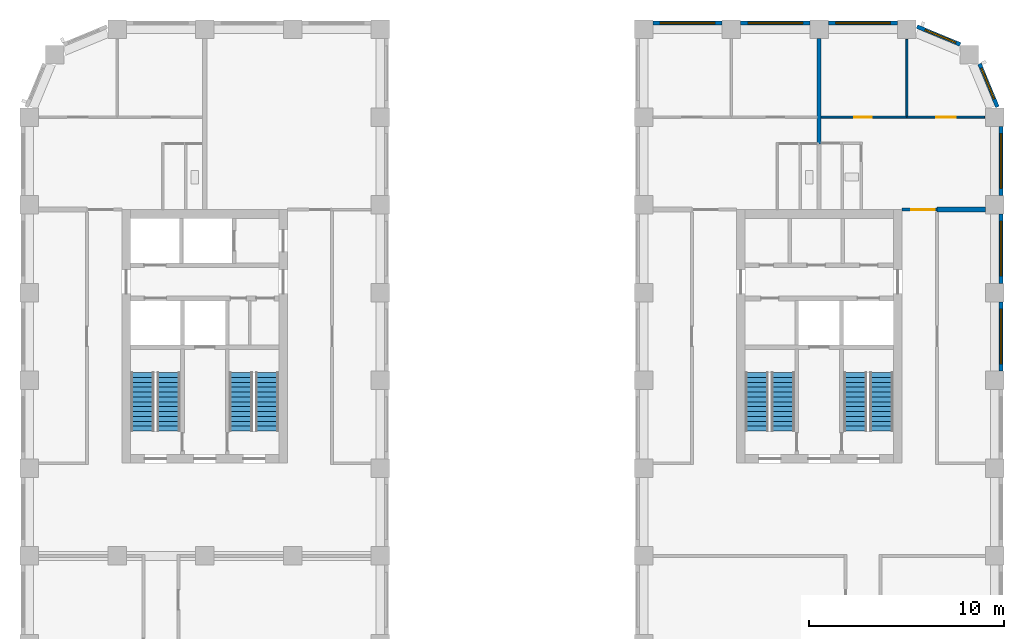
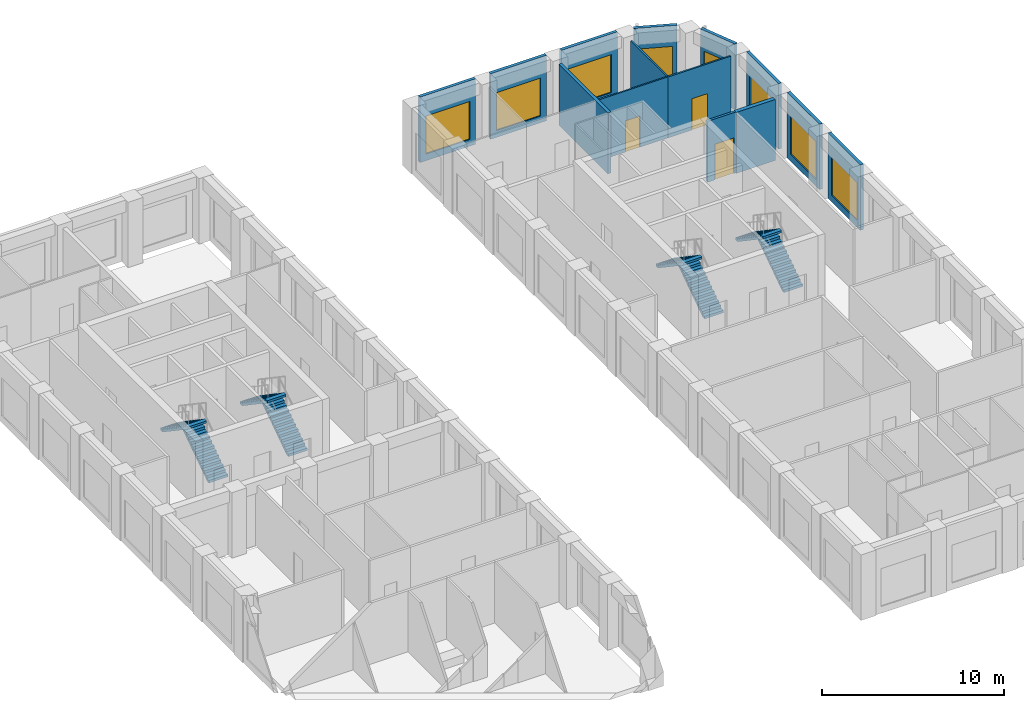
# One storey, part 9 of 12: 14 walls, 8 stair flights, 8 windows, 3 doors, 11 openings, 4 elements without a shape of their own.
"""IFC4 building model written with IfcOpenShell, lengths in metres."""

from ifc_helpers import new_model, si_unit, direction, frame, frame_2d, origin, place, context, subcontext, project, spatial, polyline, rectangle, outline, extrude, material, layer, layer_set, type_object, element, fill, aggregate, save


model = new_model("IFC4")

# Units and contexts
model_context = context("Model", 3, precision=1e-05, world=origin(), true_north=direction((0.0, 1.0)))
body_context = subcontext(model_context, "Body", "Model", "MODEL_VIEW")
ifc_project = project(units=[si_unit("LENGTHUNIT", "METRE"), si_unit("AREAUNIT", "SQUARE_METRE"), si_unit("VOLUMEUNIT", "CUBIC_METRE"), si_unit("PLANEANGLEUNIT", "RADIAN"), si_unit("MASSUNIT", "GRAM", prefix="KILO")], contexts=[model_context])

# Site, building, storey
site_placement = place(None, origin())
site = spatial("IfcSite", under=ifc_project, at=site_placement, CompositionType="ELEMENT")
building_placement = place(site_placement, origin())
building = spatial("IfcBuilding", under=site, at=building_placement, Name="Girih Gate Residences", CompositionType="ELEMENT")
storey_placement = place(building_placement, frame((0.0, 0.0, 155.0)))
storey = spatial("IfcBuildingStorey", under=building, at=storey_placement, Name="L43", CompositionType="ELEMENT", Elevation=155.0)

# Wall
ifc_material_1 = material(Name="Gypsum board on steel studs", Category="steel")
ifc_layer_1 = layer(ifc_material_1, 0.25)
ifc_layer_set_1 = layer_set([ifc_layer_1], Name="Acoustic separating wall 250 mm")
wall_type_1 = type_object("IfcWallType", Name="Acoustic separating wall 250 mm", PredefinedType="PARTITIONING", material=ifc_layer_set_1)
wall_1_placement = place(storey_placement, frame((46.550048828125, 40.25, 0.0), z_axis=(0.0, 0.0, 1.0), x_axis=(1.0, 0.0, 0.0)))
element("IfcWall", 1, at=wall_1_placement, inside=storey, type_object=wall_type_1, Name="L43 partition", PredefinedType="PARTITIONING", context=body_context, shape_type="SweptSolid", body=[
    extrude(rectangle(XDim=2.474853515625, YDim=0.25, at=frame_2d((1.2373046875, 0.0))), origin(), (0.0, 0.0, 1.0), 4.10009765625),
])

# Wall, opening, door
ifc_layer_2 = layer(ifc_material_1, 0.14990234375)
ifc_layer_set_2 = layer_set([ifc_layer_2], Name="Compartment wall 150 mm")
wall_type_2 = type_object("IfcWallType", Name="Compartment wall 150 mm", PredefinedType="PARTITIONING", material=ifc_layer_set_2)
wall_2_placement = place(storey_placement, frame((44.75, 40.25, 0.0), z_axis=(0.0, 0.0, 1.0), x_axis=(1.0, 0.0, 0.0)))
wall_2 = element("IfcWall", 2, at=wall_2_placement, inside=storey, type_object=wall_type_2, Name="L43 partition", PredefinedType="PARTITIONING", context=body_context, shape_type="SweptSolid", body=[
    extrude(rectangle(XDim=1.800048828125, YDim=0.14990234375, at=frame_2d((0.89990234375, 0.0))), origin(), (0.0, 0.0, 1.0), 4.10009765625),
])
opening_1_placement = place(wall_2_placement, frame((0.469970703125, 0.0, 0.0)))
opening_1 = element("IfcOpeningElement", 3, at=opening_1_placement, cuts=wall_2, Name="Opening A43-027", PredefinedType="OPENING", context=body_context, shape_type="SweptSolid", body=[
    extrude(rectangle(XDim=1.199951171875, YDim=2.39990234375, at=frame_2d((0.60009765625, 1.199951171875))), frame((0.0, 0.0849609375, 0.0), z_axis=(0.0, -1.0, 0.0), x_axis=(1.0, 0.0, 0.0)), (0.0, 0.0, 1.0), 0.169921875),
])
ifc_material_2 = material(Name="Timber, fire-rated core", Category="wood")
door_type_1 = type_object("IfcDoorType", Name="Villa entrance door 1200x2400 FD30S", OperationType="NOTDEFINED", PredefinedType="DOOR", material=ifc_material_2)
door_1_placement = place(opening_1_placement, origin())
door_1 = element("IfcDoor", 4, at=door_1_placement, inside=storey, type_object=door_type_1, Name="Door A43-027", OperationType="SINGLE_SWING_RIGHT", OverallHeight=2.39990234375, OverallWidth=1.199951171875, PredefinedType="DOOR", context=body_context, shape_type="SweptSolid", body=[
    extrude(rectangle(XDim=1.199951171875, YDim=2.39990234375, at=frame_2d((0.60009765625, 1.199951171875))), frame((0.0, 0.02490234375, 0.0), z_axis=(0.0, -1.0, 0.0), x_axis=(1.0, 0.0, 0.0)), (0.0, 0.0, 1.0), 0.050048828125),
])
fill(opening_1, door_1)

ifc_layer_3 = layer(ifc_material_1, 0.10009765625)
ifc_layer_set_3 = layer_set([ifc_layer_3], Name="Partition 100 mm")
wall_type_3 = type_object("IfcWallType", Name="Partition 100 mm", PredefinedType="PARTITIONING", material=ifc_layer_set_3)
wall_3_placement = place(storey_placement, frame((40.60009765625, 45.0, 0.0), z_axis=(0.0, 0.0, 1.0), x_axis=(1.0, 0.0, 0.0)))
wall_3 = element("IfcWall", 5, at=wall_3_placement, inside=storey, type_object=wall_type_3, Name="L43 partition", PredefinedType="PARTITIONING", context=body_context, shape_type="SweptSolid", body=[
    extrude(rectangle(XDim=4.39990234375, YDim=0.10009765625, at=frame_2d((2.199951171875, 0.0))), origin(), (0.0, 0.0, 1.0), 4.10009765625),
])
opening_2_placement = place(wall_3_placement, frame((1.699951171875, 0.0, 0.0)))
opening_2 = element("IfcOpeningElement", 6, at=opening_2_placement, cuts=wall_3, Name="Opening A43-024", PredefinedType="OPENING", context=body_context, shape_type="SweptSolid", body=[
    extrude(rectangle(XDim=0.89990234375, YDim=2.10009765625, at=frame_2d((0.449951171875, 1.050048828125))), frame((0.0, 0.06005859375, 0.0), z_axis=(0.0, -1.0, 0.0), x_axis=(1.0, 0.0, 0.0)), (0.0, 0.0, 1.0), 0.1201171875),
])
ifc_material_3 = material(Name="Timber", Category="wood")
door_type_2 = type_object("IfcDoorType", Name="Bedroom door 900x2100", OperationType="NOTDEFINED", PredefinedType="DOOR", material=ifc_material_3)
door_2_placement = place(opening_2_placement, origin())
door_2 = element("IfcDoor", 7, at=door_2_placement, inside=storey, type_object=door_type_2, Name="Door A43-024", OperationType="SINGLE_SWING_LEFT", OverallHeight=2.10009765625, OverallWidth=0.89990234375, PredefinedType="DOOR", context=body_context, shape_type="SweptSolid", body=[
    extrude(rectangle(XDim=0.89990234375, YDim=2.10009765625, at=frame_2d((0.449951171875, 1.050048828125))), frame((0.0, 0.02490234375, 0.0), z_axis=(0.0, -1.0, 0.0), x_axis=(1.0, 0.0, 0.0)), (0.0, 0.0, 1.0), 0.050048828125),
])
fill(opening_2, door_2)

# Wall
wall_4_placement = place(storey_placement, frame((45.0, 45.050048828125, 0.0), z_axis=(0.0, 0.0, 1.0), x_axis=(0.0, 1.0, 0.0)))
element("IfcWall", 8, at=wall_4_placement, inside=storey, type_object=wall_type_3, Name="L43 partition", PredefinedType="PARTITIONING", context=body_context, shape_type="SweptSolid", body=[
    extrude(rectangle(XDim=3.935791015625, YDim=0.10009765625, at=frame_2d((1.9677734375, 0.0))), origin(), (0.0, 0.0, 1.0), 4.10009765625),
])

# Wall, opening, door
wall_5_placement = place(storey_placement, frame((45.0, 45.0, 0.0), z_axis=(0.0, 0.0, 1.0), x_axis=(1.0, 0.0, 0.0)))
wall_5 = element("IfcWall", 9, at=wall_5_placement, inside=storey, type_object=wall_type_3, Name="L43 partition", PredefinedType="PARTITIONING", context=body_context, shape_type="SweptSolid", body=[
    extrude(rectangle(XDim=3.98583984375, YDim=0.10009765625, at=frame_2d((1.992919921875, 0.0))), origin(), (0.0, 0.0, 1.0), 4.10009765625),
])
opening_3_placement = place(wall_5_placement, frame((1.512451171875, 0.0, 0.0)))
opening_3 = element("IfcOpeningElement", 10, at=opening_3_placement, cuts=wall_5, Name="Opening A43-026", PredefinedType="OPENING", context=body_context, shape_type="SweptSolid", body=[
    extrude(rectangle(XDim=1.0, YDim=2.10009765625, at=frame_2d((0.5, 1.050048828125))), frame((0.0, 0.06005859375, 0.0), z_axis=(0.0, -1.0, 0.0), x_axis=(1.0, 0.0, 0.0)), (0.0, 0.0, 1.0), 0.1201171875),
])
door_type_3 = type_object("IfcDoorType", Name="Living room door 1000x2100", OperationType="NOTDEFINED", PredefinedType="DOOR", material=ifc_material_3)
door_3_placement = place(opening_3_placement, origin())
door_3 = element("IfcDoor", 11, at=door_3_placement, inside=storey, type_object=door_type_3, Name="Door A43-026", OperationType="SINGLE_SWING_RIGHT", OverallHeight=2.10009765625, OverallWidth=1.0, PredefinedType="DOOR", context=body_context, shape_type="SweptSolid", body=[
    extrude(rectangle(XDim=1.0, YDim=2.10009765625, at=frame_2d((0.5, 1.050048828125))), frame((0.0, 0.02490234375, 0.0), z_axis=(0.0, -1.0, 0.0), x_axis=(1.0, 0.0, 0.0)), (0.0, 0.0, 1.0), 0.050048828125),
])
fill(opening_3, door_3)

# Wall
ifc_layer_4 = layer(ifc_material_1, 0.199951171875)
ifc_layer_set_4 = layer_set([ifc_layer_4], Name="Party wall 200 mm")
wall_type_4 = type_object("IfcWallType", Name="Party wall 200 mm", PredefinedType="PARTITIONING", material=ifc_layer_set_4)
wall_6_placement = place(storey_placement, frame((40.5, 43.610107421875, 0.0), z_axis=(0.0, 0.0, 1.0), x_axis=(0.0, 1.0, 0.0)))
element("IfcWall", 12, at=wall_6_placement, inside=storey, type_object=wall_type_4, Name="L43 partition", PredefinedType="PARTITIONING", context=body_context, shape_type="SweptSolid", body=[
    extrude(rectangle(XDim=5.414794921875, YDim=0.199951171875, at=frame_2d((2.70751953125, 0.0))), origin(), (0.0, 0.0, 1.0), 4.10009765625),
])

# Wall, opening, window
ifc_material_4 = material(Name="Precast concrete C50/60", Category="concrete")
ifc_layer_5 = layer(ifc_material_4, 0.06005859375, Name="Outer leaf")
ifc_material_5 = material(Name="Rigid PIR insulation")
ifc_layer_6 = layer(ifc_material_5, 0.090087890625, Name="Insulation")
ifc_material_6 = material(Name="Precast concrete C40/50", Category="concrete")
ifc_layer_7 = layer(ifc_material_6, 0.050048828125, Name="Inner leaf")
ifc_layer_set_5 = layer_set([ifc_layer_5, ifc_layer_6, ifc_layer_7], Name="Precast concrete C50/60 external wall 200")
wall_type_5 = type_object("IfcWallType", Name="Precast concrete C50/60 external wall 200", PredefinedType="SOLIDWALL", material=ifc_layer_set_5)
wall_7_placement = place(storey_placement, frame((49.824951171875, 35.52490234375, 0.0), z_axis=(0.0, 0.0, 1.0), x_axis=(0.0, -1.0, 0.0)))
wall_7 = element("IfcWall", 13, at=wall_7_placement, inside=storey, type_object=wall_type_5, Name="External wall E0495_0045.6", PredefinedType="SOLIDWALL", context=body_context, shape_type="SweptSolid", body=[
    extrude(rectangle(XDim=3.5498046875, YDim=0.199951171875, at=frame_2d((1.77490234375, 0.0))), origin(), (0.0, 0.0, 1.0), 4.39990234375),
])
opening_4_placement = place(wall_7_placement, frame((0.375, 0.0, 0.449951171875)))
opening_4 = element("IfcOpeningElement", 14, at=opening_4_placement, cuts=wall_7, Name="Opening W-6A", PredefinedType="OPENING", context=body_context, shape_type="SweptSolid", body=[
    extrude(rectangle(XDim=2.800048828125, YDim=2.550048828125, at=frame_2d((1.39990234375, 1.27490234375))), frame((0.0, 0.10986328125, 0.0), z_axis=(0.0, -1.0, 0.0), x_axis=(1.0, 0.0, 0.0)), (0.0, 0.0, 1.0), 0.219970703125),
])
ifc_material_7 = material(Name="Double glazing in aluminium frame", Category="aluminium")
window_type_1 = type_object("IfcWindowType", Name="Window W-6A 2800x2550", PartitioningType="SINGLE_PANEL", PredefinedType="WINDOW", material=ifc_material_7)
window_1_placement = place(opening_4_placement, origin())
window_1 = element("IfcWindow", 15, at=window_1_placement, inside=storey, type_object=window_type_1, Name="Window W-6A E0495_0045.6", OverallHeight=2.550048828125, OverallWidth=2.800048828125, PartitioningType="SINGLE_PANEL", PredefinedType="WINDOW", context=body_context, shape_type="SweptSolid", body=[
    extrude(rectangle(XDim=2.800048828125, YDim=2.550048828125, at=frame_2d((1.39990234375, 1.27490234375))), frame((0.0, 0.030029296875, 0.0), z_axis=(0.0, -1.0, 0.0), x_axis=(1.0, 0.0, 0.0)), (0.0, 0.0, 1.0), 0.06005859375),
])
fill(opening_4, window_1)

wall_8_placement = place(storey_placement, frame((49.824951171875, 40.02490234375, 0.0), z_axis=(0.0, 0.0, 1.0), x_axis=(0.0, -1.0, 0.0)))
wall_8 = element("IfcWall", 16, at=wall_8_placement, inside=storey, type_object=wall_type_5, Name="External wall E0495_0045.7", PredefinedType="SOLIDWALL", context=body_context, shape_type="SweptSolid", body=[
    extrude(rectangle(XDim=3.5498046875, YDim=0.199951171875, at=frame_2d((1.77490234375, 0.0))), origin(), (0.0, 0.0, 1.0), 4.39990234375),
])
opening_5_placement = place(wall_8_placement, frame((0.375, 0.0, 0.449951171875)))
opening_5 = element("IfcOpeningElement", 17, at=opening_5_placement, cuts=wall_8, Name="Opening W-6A", PredefinedType="OPENING", context=body_context, shape_type="SweptSolid", body=[
    extrude(rectangle(XDim=2.800048828125, YDim=2.550048828125, at=frame_2d((1.39990234375, 1.27490234375))), frame((0.0, 0.10986328125, 0.0), z_axis=(0.0, -1.0, 0.0), x_axis=(1.0, 0.0, 0.0)), (0.0, 0.0, 1.0), 0.219970703125),
])
window_2_placement = place(opening_5_placement, origin())
window_2 = element("IfcWindow", 18, at=window_2_placement, inside=storey, type_object=window_type_1, Name="Window W-6A E0495_0045.7", OverallHeight=2.550048828125, OverallWidth=2.800048828125, PartitioningType="SINGLE_PANEL", PredefinedType="WINDOW", context=body_context, shape_type="SweptSolid", body=[
    extrude(rectangle(XDim=2.800048828125, YDim=2.550048828125, at=frame_2d((1.39990234375, 1.27490234375))), frame((0.0, 0.030029296875, 0.0), z_axis=(0.0, -1.0, 0.0), x_axis=(1.0, 0.0, 0.0)), (0.0, 0.0, 1.0), 0.06005859375),
])
fill(opening_5, window_2)

wall_9_placement = place(storey_placement, frame((49.824951171875, 44.52490234375, 0.0), z_axis=(0.0, 0.0, 1.0), x_axis=(0.0, -1.0, 0.0)))
wall_9 = element("IfcWall", 19, at=wall_9_placement, inside=storey, type_object=wall_type_5, Name="External wall E0495_0045.8", PredefinedType="SOLIDWALL", context=body_context, shape_type="SweptSolid", body=[
    extrude(rectangle(XDim=3.5498046875, YDim=0.199951171875, at=frame_2d((1.77490234375, 0.0))), origin(), (0.0, 0.0, 1.0), 4.39990234375),
])
opening_6_placement = place(wall_9_placement, frame((0.375, 0.0, 0.449951171875)))
opening_6 = element("IfcOpeningElement", 20, at=opening_6_placement, cuts=wall_9, Name="Opening W-6A", PredefinedType="OPENING", context=body_context, shape_type="SweptSolid", body=[
    extrude(rectangle(XDim=2.800048828125, YDim=2.550048828125, at=frame_2d((1.39990234375, 1.27490234375))), frame((0.0, 0.10986328125, 0.0), z_axis=(0.0, -1.0, 0.0), x_axis=(1.0, 0.0, 0.0)), (0.0, 0.0, 1.0), 0.219970703125),
])
window_3_placement = place(opening_6_placement, origin())
window_3 = element("IfcWindow", 21, at=window_3_placement, inside=storey, type_object=window_type_1, Name="Window W-6A E0495_0045.8", OverallHeight=2.550048828125, OverallWidth=2.800048828125, PartitioningType="SINGLE_PANEL", PredefinedType="WINDOW", context=body_context, shape_type="SweptSolid", body=[
    extrude(rectangle(XDim=2.800048828125, YDim=2.550048828125, at=frame_2d((1.39990234375, 1.27490234375))), frame((0.0, 0.030029296875, 0.0), z_axis=(0.0, -1.0, 0.0), x_axis=(1.0, 0.0, 0.0)), (0.0, 0.0, 1.0), 0.06005859375),
])
fill(opening_6, window_3)

wall_10_placement = place(storey_placement, frame((48.7197265625, 47.73291015625, 0.0), z_axis=(0.0, 0.0, 1.0), x_axis=(0.382680855588, -0.923880599843, 0.0)))
wall_10 = element("IfcWall", 22, at=wall_10_placement, inside=storey, type_object=wall_type_5, Name="External wall NE0495_0450.0", PredefinedType="SOLIDWALL", context=body_context, shape_type="SweptSolid", body=[
    extrude(rectangle(XDim=2.402587890625, YDim=0.199951171875, at=frame_2d((1.201171875, 0.0))), origin(), (0.0, 0.0, 1.0), 4.39990234375),
])
opening_7_placement = place(wall_10_placement, frame((0.25146484375, 0.0, 0.449951171875)))
opening_7 = element("IfcOpeningElement", 23, at=opening_7_placement, cuts=wall_10, Name="Opening W-2F", PredefinedType="OPENING", context=body_context, shape_type="SweptSolid", body=[
    extrude(rectangle(XDim=1.699951171875, YDim=2.550048828125, at=frame_2d((0.85009765625, 1.27490234375))), frame((0.0, 0.10986328125, 0.0), z_axis=(0.0, -1.0, 0.0), x_axis=(1.0, 0.0, 0.0)), (0.0, 0.0, 1.0), 0.219970703125),
])
window_type_2 = type_object("IfcWindowType", Name="Window W-2F 1700x2550", PartitioningType="SINGLE_PANEL", PredefinedType="WINDOW", material=ifc_material_7)
window_4_placement = place(opening_7_placement, origin())
window_4 = element("IfcWindow", 24, at=window_4_placement, inside=storey, type_object=window_type_2, Name="Window W-2F NE0495_0450.0", OverallHeight=2.550048828125, OverallWidth=1.699951171875, PartitioningType="SINGLE_PANEL", PredefinedType="WINDOW", context=body_context, shape_type="SweptSolid", body=[
    extrude(rectangle(XDim=1.699951171875, YDim=2.550048828125, at=frame_2d((0.85009765625, 1.27490234375))), frame((0.0, 0.030029296875, 0.0), z_axis=(0.0, -1.0, 0.0), x_axis=(1.0, 0.0, 0.0)), (0.0, 0.0, 1.0), 0.06005859375),
])
fill(opening_7, window_4)

wall_11_placement = place(storey_placement, frame((45.51318359375, 49.63916015625, 0.0), z_axis=(0.0, 0.0, 1.0), x_axis=(0.923880599843, -0.382680855588, 0.0)))
wall_11 = element("IfcWall", 25, at=wall_11_placement, inside=storey, type_object=wall_type_5, Name="External wall NE0482_0482.0", PredefinedType="SOLIDWALL", context=body_context, shape_type="SweptSolid", body=[
    extrude(rectangle(XDim=2.402587890625, YDim=0.199951171875, at=frame_2d((1.201171875, 0.0))), origin(), (0.0, 0.0, 1.0), 4.39990234375),
])
opening_8_placement = place(wall_11_placement, frame((0.451171875, 0.0, 0.449951171875)))
opening_8 = element("IfcOpeningElement", 26, at=opening_8_placement, cuts=wall_11, Name="Opening W-2F", PredefinedType="OPENING", context=body_context, shape_type="SweptSolid", body=[
    extrude(rectangle(XDim=1.699951171875, YDim=2.550048828125, at=frame_2d((0.85009765625, 1.27490234375))), frame((0.0, 0.10986328125, 0.0), z_axis=(0.0, -1.0, 0.0), x_axis=(1.0, 0.0, 0.0)), (0.0, 0.0, 1.0), 0.219970703125),
])
window_5_placement = place(opening_8_placement, origin())
window_5 = element("IfcWindow", 27, at=window_5_placement, inside=storey, type_object=window_type_2, Name="Window W-2F NE0482_0482.0", OverallHeight=2.550048828125, OverallWidth=1.699951171875, PartitioningType="SINGLE_PANEL", PredefinedType="WINDOW", context=body_context, shape_type="SweptSolid", body=[
    extrude(rectangle(XDim=1.699951171875, YDim=2.550048828125, at=frame_2d((0.85009765625, 1.27490234375))), frame((0.0, 0.030029296875, 0.0), z_axis=(0.0, -1.0, 0.0), x_axis=(1.0, 0.0, 0.0)), (0.0, 0.0, 1.0), 0.06005859375),
])
fill(opening_8, window_5)

wall_12_placement = place(storey_placement, frame((40.97509765625, 49.824951171875, 0.0), z_axis=(0.0, 0.0, 1.0), x_axis=(1.0, 0.0, 0.0)))
wall_12 = element("IfcWall", 28, at=wall_12_placement, inside=storey, type_object=wall_type_5, Name="External wall N0450_0495.0", PredefinedType="SOLIDWALL", context=body_context, shape_type="SweptSolid", body=[
    extrude(rectangle(XDim=3.5498046875, YDim=0.199951171875, at=frame_2d((1.77490234375, 0.0))), origin(), (0.0, 0.0, 1.0), 4.39990234375),
])
opening_9_placement = place(wall_12_placement, frame((0.375, 0.0, 0.449951171875)))
opening_9 = element("IfcOpeningElement", 29, at=opening_9_placement, cuts=wall_12, Name="Opening W-6A", PredefinedType="OPENING", context=body_context, shape_type="SweptSolid", body=[
    extrude(rectangle(XDim=2.800048828125, YDim=2.550048828125, at=frame_2d((1.39990234375, 1.27490234375))), frame((0.0, 0.10986328125, 0.0), z_axis=(0.0, -1.0, 0.0), x_axis=(1.0, 0.0, 0.0)), (0.0, 0.0, 1.0), 0.219970703125),
])
window_6_placement = place(opening_9_placement, origin())
window_6 = element("IfcWindow", 30, at=window_6_placement, inside=storey, type_object=window_type_1, Name="Window W-6A N0450_0495.0", OverallHeight=2.550048828125, OverallWidth=2.800048828125, PartitioningType="SINGLE_PANEL", PredefinedType="WINDOW", context=body_context, shape_type="SweptSolid", body=[
    extrude(rectangle(XDim=2.800048828125, YDim=2.550048828125, at=frame_2d((1.39990234375, 1.27490234375))), frame((0.0, 0.030029296875, 0.0), z_axis=(0.0, -1.0, 0.0), x_axis=(1.0, 0.0, 0.0)), (0.0, 0.0, 1.0), 0.06005859375),
])
fill(opening_9, window_6)

wall_13_placement = place(storey_placement, frame((36.47509765625, 49.824951171875, 0.0), z_axis=(0.0, 0.0, 1.0), x_axis=(1.0, 0.0, 0.0)))
wall_13 = element("IfcWall", 31, at=wall_13_placement, inside=storey, type_object=wall_type_5, Name="External wall N0450_0495.1", PredefinedType="SOLIDWALL", context=body_context, shape_type="SweptSolid", body=[
    extrude(rectangle(XDim=3.5498046875, YDim=0.199951171875, at=frame_2d((1.77490234375, 0.0))), origin(), (0.0, 0.0, 1.0), 4.39990234375),
])
opening_10_placement = place(wall_13_placement, frame((0.375, 0.0, 0.449951171875)))
opening_10 = element("IfcOpeningElement", 32, at=opening_10_placement, cuts=wall_13, Name="Opening W-6A", PredefinedType="OPENING", context=body_context, shape_type="SweptSolid", body=[
    extrude(rectangle(XDim=2.800048828125, YDim=2.550048828125, at=frame_2d((1.39990234375, 1.27490234375))), frame((0.0, 0.10986328125, 0.0), z_axis=(0.0, -1.0, 0.0), x_axis=(1.0, 0.0, 0.0)), (0.0, 0.0, 1.0), 0.219970703125),
])
window_7_placement = place(opening_10_placement, origin())
window_7 = element("IfcWindow", 33, at=window_7_placement, inside=storey, type_object=window_type_1, Name="Window W-6A N0450_0495.1", OverallHeight=2.550048828125, OverallWidth=2.800048828125, PartitioningType="SINGLE_PANEL", PredefinedType="WINDOW", context=body_context, shape_type="SweptSolid", body=[
    extrude(rectangle(XDim=2.800048828125, YDim=2.550048828125, at=frame_2d((1.39990234375, 1.27490234375))), frame((0.0, 0.030029296875, 0.0), z_axis=(0.0, -1.0, 0.0), x_axis=(1.0, 0.0, 0.0)), (0.0, 0.0, 1.0), 0.06005859375),
])
fill(opening_10, window_7)

wall_14_placement = place(storey_placement, frame((31.97509765625, 49.824951171875, 0.0), z_axis=(0.0, 0.0, 1.0), x_axis=(1.0, 0.0, 0.0)))
wall_14 = element("IfcWall", 34, at=wall_14_placement, inside=storey, type_object=wall_type_5, Name="External wall N0450_0495.2", PredefinedType="SOLIDWALL", context=body_context, shape_type="SweptSolid", body=[
    extrude(rectangle(XDim=3.5498046875, YDim=0.199951171875, at=frame_2d((1.77490234375, 0.0))), origin(), (0.0, 0.0, 1.0), 4.39990234375),
])
opening_11_placement = place(wall_14_placement, frame((0.375, 0.0, 0.449951171875)))
opening_11 = element("IfcOpeningElement", 35, at=opening_11_placement, cuts=wall_14, Name="Opening W-6A", PredefinedType="OPENING", context=body_context, shape_type="SweptSolid", body=[
    extrude(rectangle(XDim=2.800048828125, YDim=2.550048828125, at=frame_2d((1.39990234375, 1.27490234375))), frame((0.0, 0.10986328125, 0.0), z_axis=(0.0, -1.0, 0.0), x_axis=(1.0, 0.0, 0.0)), (0.0, 0.0, 1.0), 0.219970703125),
])
window_8_placement = place(opening_11_placement, origin())
window_8 = element("IfcWindow", 36, at=window_8_placement, inside=storey, type_object=window_type_1, Name="Window W-6A N0450_0495.2", OverallHeight=2.550048828125, OverallWidth=2.800048828125, PartitioningType="SINGLE_PANEL", PredefinedType="WINDOW", context=body_context, shape_type="SweptSolid", body=[
    extrude(rectangle(XDim=2.800048828125, YDim=2.550048828125, at=frame_2d((1.39990234375, 1.27490234375))), frame((0.0, 0.030029296875, 0.0), z_axis=(0.0, -1.0, 0.0), x_axis=(1.0, 0.0, 0.0)), (0.0, 0.0, 1.0), 0.06005859375),
])
fill(opening_11, window_8)

# Stair, stair flights
ifc_material_8 = material(Name="Concrete C40/50", Category="concrete")
stair_type = type_object("IfcStairType", Name="Exit stair", PredefinedType="HALF_TURN_STAIR", material=ifc_material_8)
stair_1_placement = place(storey_placement, origin())
stair_1 = element("IfcStair", 37, at=stair_1_placement, inside=storey, type_object=stair_type, Name="L43 Exit Stair ST-W1", PredefinedType="HALF_TURN_STAIR")
stair_flight_type = type_object("IfcStairFlightType", Name="Stair flight 1200", PredefinedType="STRAIGHT", material=ifc_material_8)
stair_flight_1_placement = place(storey_placement, frame((7.14990234375, 28.89990234375, 0.0), z_axis=(0.0, 0.0, 1.0), x_axis=(0.0, 1.0, 0.0)))
stair_flight_1 = element("IfcStairFlight", 38, at=stair_flight_1_placement, type_object=stair_flight_type, Name="ST-W1 flight 1", NumberOfRisers=13, NumberOfTreads=12, PredefinedType="STRAIGHT", RiserHeight=0.169230769, TreadLength=0.25, context=body_context, shape_type="SweptSolid", body=[
    extrude(outline(polyline([(0.0, 0.0), (0.0, 0.169189453125), (0.25, 0.169189453125), (0.25, 0.33837890625), (0.5, 0.33837890625), (0.5, 0.5078125), (0.75, 0.5078125), (0.75, 0.677001953125), (1.0, 0.677001953125), (1.0, 0.84619140625), (1.25, 0.84619140625), (1.25, 1.015380859375), (1.5, 1.015380859375), (1.5, 1.1845703125), (1.75, 1.1845703125), (1.75, 1.353759765625), (2.0, 1.353759765625), (2.0, 1.523193359375), (2.25, 1.523193359375), (2.25, 1.6923828125), (2.5, 1.6923828125), (2.5, 1.861572265625), (2.75, 1.861572265625), (2.75, 2.03076171875), (3.0, 2.03076171875), (3.0, 2.199951171875), (3.0, 1.8857421875), (0.21435546875, 0.0), (0.0, 0.0)])), frame((0.0, 0.60009765625, 0.0), z_axis=(0.0, -1.0, 0.0), x_axis=(1.0, 0.0, 0.0)), (0.0, 0.0, 1.0), 1.199951171875),
])
stair_flight_2_placement = place(storey_placement, frame((5.800048828125, 31.89990234375, 2.199951171875), z_axis=(0.0, 0.0, 1.0), x_axis=(0.0, -1.0, 0.0)))
stair_flight_2 = element("IfcStairFlight", 39, at=stair_flight_2_placement, type_object=stair_flight_type, Name="ST-W1 flight 2", NumberOfRisers=13, NumberOfTreads=12, PredefinedType="STRAIGHT", RiserHeight=0.169230769, TreadLength=0.25, context=body_context, shape_type="SweptSolid", body=[
    extrude(outline(polyline([(0.0, 0.0), (0.0, 0.169189453125), (0.25, 0.169189453125), (0.25, 0.33837890625), (0.5, 0.33837890625), (0.5, 0.5078125), (0.75, 0.5078125), (0.75, 0.677001953125), (1.0, 0.677001953125), (1.0, 0.84619140625), (1.25, 0.84619140625), (1.25, 1.015380859375), (1.5, 1.015380859375), (1.5, 1.1845703125), (1.75, 1.1845703125), (1.75, 1.353759765625), (2.0, 1.353759765625), (2.0, 1.523193359375), (2.25, 1.523193359375), (2.25, 1.6923828125), (2.5, 1.6923828125), (2.5, 1.861572265625), (2.75, 1.861572265625), (2.75, 2.03076171875), (3.0, 2.03076171875), (3.0, 2.199951171875), (3.0, 1.8857421875), (0.21435546875, 0.0), (0.0, 0.0)])), frame((0.0, 0.60009765625, 0.0), z_axis=(0.0, -1.0, 0.0), x_axis=(1.0, 0.0, 0.0)), (0.0, 0.0, 1.0), 1.199951171875),
])
aggregate(stair_1, [stair_flight_1, stair_flight_2])

stair_2_placement = place(storey_placement, origin())
stair_2 = element("IfcStair", 40, at=stair_2_placement, inside=storey, type_object=stair_type, Name="L43 Exit Stair ST-W2", PredefinedType="HALF_TURN_STAIR")
stair_flight_3_placement = place(storey_placement, frame((12.199951171875, 28.89990234375, 0.0), z_axis=(0.0, 0.0, 1.0), x_axis=(0.0, 1.0, 0.0)))
stair_flight_3 = element("IfcStairFlight", 41, at=stair_flight_3_placement, type_object=stair_flight_type, Name="ST-W2 flight 1", NumberOfRisers=13, NumberOfTreads=12, PredefinedType="STRAIGHT", RiserHeight=0.169230769, TreadLength=0.25, context=body_context, shape_type="SweptSolid", body=[
    extrude(outline(polyline([(0.0, 0.0), (0.0, 0.169189453125), (0.25, 0.169189453125), (0.25, 0.33837890625), (0.5, 0.33837890625), (0.5, 0.5078125), (0.75, 0.5078125), (0.75, 0.677001953125), (1.0, 0.677001953125), (1.0, 0.84619140625), (1.25, 0.84619140625), (1.25, 1.015380859375), (1.5, 1.015380859375), (1.5, 1.1845703125), (1.75, 1.1845703125), (1.75, 1.353759765625), (2.0, 1.353759765625), (2.0, 1.523193359375), (2.25, 1.523193359375), (2.25, 1.6923828125), (2.5, 1.6923828125), (2.5, 1.861572265625), (2.75, 1.861572265625), (2.75, 2.03076171875), (3.0, 2.03076171875), (3.0, 2.199951171875), (3.0, 1.8857421875), (0.21435546875, 0.0), (0.0, 0.0)])), frame((0.0, 0.60009765625, 0.0), z_axis=(0.0, -1.0, 0.0), x_axis=(1.0, 0.0, 0.0)), (0.0, 0.0, 1.0), 1.199951171875),
])
stair_flight_4_placement = place(storey_placement, frame((10.85009765625, 31.89990234375, 2.199951171875), z_axis=(0.0, 0.0, 1.0), x_axis=(0.0, -1.0, 0.0)))
stair_flight_4 = element("IfcStairFlight", 42, at=stair_flight_4_placement, type_object=stair_flight_type, Name="ST-W2 flight 2", NumberOfRisers=13, NumberOfTreads=12, PredefinedType="STRAIGHT", RiserHeight=0.169230769, TreadLength=0.25, context=body_context, shape_type="SweptSolid", body=[
    extrude(outline(polyline([(0.0, 0.0), (0.0, 0.169189453125), (0.25, 0.169189453125), (0.25, 0.33837890625), (0.5, 0.33837890625), (0.5, 0.5078125), (0.75, 0.5078125), (0.75, 0.677001953125), (1.0, 0.677001953125), (1.0, 0.84619140625), (1.25, 0.84619140625), (1.25, 1.015380859375), (1.5, 1.015380859375), (1.5, 1.1845703125), (1.75, 1.1845703125), (1.75, 1.353759765625), (2.0, 1.353759765625), (2.0, 1.523193359375), (2.25, 1.523193359375), (2.25, 1.6923828125), (2.5, 1.6923828125), (2.5, 1.861572265625), (2.75, 1.861572265625), (2.75, 2.03076171875), (3.0, 2.03076171875), (3.0, 2.199951171875), (3.0, 1.8857421875), (0.21435546875, 0.0), (0.0, 0.0)])), frame((0.0, 0.60009765625, 0.0), z_axis=(0.0, -1.0, 0.0), x_axis=(1.0, 0.0, 0.0)), (0.0, 0.0, 1.0), 1.199951171875),
])
aggregate(stair_2, [stair_flight_3, stair_flight_4])

stair_3_placement = place(storey_placement, origin())
stair_3 = element("IfcStair", 43, at=stair_3_placement, inside=storey, type_object=stair_type, Name="L43 Exit Stair ST-E1", PredefinedType="HALF_TURN_STAIR")
stair_flight_5_placement = place(storey_placement, frame((43.699951171875, 28.89990234375, 0.0), z_axis=(0.0, 0.0, 1.0), x_axis=(0.0, 1.0, 0.0)))
stair_flight_5 = element("IfcStairFlight", 44, at=stair_flight_5_placement, type_object=stair_flight_type, Name="ST-E1 flight 1", NumberOfRisers=13, NumberOfTreads=12, PredefinedType="STRAIGHT", RiserHeight=0.169230769, TreadLength=0.25, context=body_context, shape_type="SweptSolid", body=[
    extrude(outline(polyline([(0.0, 0.0), (0.0, 0.169189453125), (0.25, 0.169189453125), (0.25, 0.33837890625), (0.5, 0.33837890625), (0.5, 0.5078125), (0.75, 0.5078125), (0.75, 0.677001953125), (1.0, 0.677001953125), (1.0, 0.84619140625), (1.25, 0.84619140625), (1.25, 1.015380859375), (1.5, 1.015380859375), (1.5, 1.1845703125), (1.75, 1.1845703125), (1.75, 1.353759765625), (2.0, 1.353759765625), (2.0, 1.523193359375), (2.25, 1.523193359375), (2.25, 1.6923828125), (2.5, 1.6923828125), (2.5, 1.861572265625), (2.75, 1.861572265625), (2.75, 2.03076171875), (3.0, 2.03076171875), (3.0, 2.199951171875), (3.0, 1.8857421875), (0.21435546875, 0.0), (0.0, 0.0)])), frame((0.0, 0.60009765625, 0.0), z_axis=(0.0, -1.0, 0.0), x_axis=(1.0, 0.0, 0.0)), (0.0, 0.0, 1.0), 1.199951171875),
])
stair_flight_6_placement = place(storey_placement, frame((42.35009765625, 31.89990234375, 2.199951171875), z_axis=(0.0, 0.0, 1.0), x_axis=(0.0, -1.0, 0.0)))
stair_flight_6 = element("IfcStairFlight", 45, at=stair_flight_6_placement, type_object=stair_flight_type, Name="ST-E1 flight 2", NumberOfRisers=13, NumberOfTreads=12, PredefinedType="STRAIGHT", RiserHeight=0.169230769, TreadLength=0.25, context=body_context, shape_type="SweptSolid", body=[
    extrude(outline(polyline([(0.0, 0.0), (0.0, 0.169189453125), (0.25, 0.169189453125), (0.25, 0.33837890625), (0.5, 0.33837890625), (0.5, 0.5078125), (0.75, 0.5078125), (0.75, 0.677001953125), (1.0, 0.677001953125), (1.0, 0.84619140625), (1.25, 0.84619140625), (1.25, 1.015380859375), (1.5, 1.015380859375), (1.5, 1.1845703125), (1.75, 1.1845703125), (1.75, 1.353759765625), (2.0, 1.353759765625), (2.0, 1.523193359375), (2.25, 1.523193359375), (2.25, 1.6923828125), (2.5, 1.6923828125), (2.5, 1.861572265625), (2.75, 1.861572265625), (2.75, 2.03076171875), (3.0, 2.03076171875), (3.0, 2.199951171875), (3.0, 1.8857421875), (0.21435546875, 0.0), (0.0, 0.0)])), frame((0.0, 0.60009765625, 0.0), z_axis=(0.0, -1.0, 0.0), x_axis=(1.0, 0.0, 0.0)), (0.0, 0.0, 1.0), 1.199951171875),
])
aggregate(stair_3, [stair_flight_5, stair_flight_6])

stair_4_placement = place(storey_placement, origin())
stair_4 = element("IfcStair", 46, at=stair_4_placement, inside=storey, type_object=stair_type, Name="L43 Exit Stair ST-E2", PredefinedType="HALF_TURN_STAIR")
stair_flight_7_placement = place(storey_placement, frame((38.64990234375, 28.89990234375, 0.0), z_axis=(0.0, 0.0, 1.0), x_axis=(0.0, 1.0, 0.0)))
stair_flight_7 = element("IfcStairFlight", 47, at=stair_flight_7_placement, type_object=stair_flight_type, Name="ST-E2 flight 1", NumberOfRisers=13, NumberOfTreads=12, PredefinedType="STRAIGHT", RiserHeight=0.169230769, TreadLength=0.25, context=body_context, shape_type="SweptSolid", body=[
    extrude(outline(polyline([(0.0, 0.0), (0.0, 0.169189453125), (0.25, 0.169189453125), (0.25, 0.33837890625), (0.5, 0.33837890625), (0.5, 0.5078125), (0.75, 0.5078125), (0.75, 0.677001953125), (1.0, 0.677001953125), (1.0, 0.84619140625), (1.25, 0.84619140625), (1.25, 1.015380859375), (1.5, 1.015380859375), (1.5, 1.1845703125), (1.75, 1.1845703125), (1.75, 1.353759765625), (2.0, 1.353759765625), (2.0, 1.523193359375), (2.25, 1.523193359375), (2.25, 1.6923828125), (2.5, 1.6923828125), (2.5, 1.861572265625), (2.75, 1.861572265625), (2.75, 2.03076171875), (3.0, 2.03076171875), (3.0, 2.199951171875), (3.0, 1.8857421875), (0.21435546875, 0.0), (0.0, 0.0)])), frame((0.0, 0.60009765625, 0.0), z_axis=(0.0, -1.0, 0.0), x_axis=(1.0, 0.0, 0.0)), (0.0, 0.0, 1.0), 1.199951171875),
])
stair_flight_8_placement = place(storey_placement, frame((37.300048828125, 31.89990234375, 2.199951171875), z_axis=(0.0, 0.0, 1.0), x_axis=(0.0, -1.0, 0.0)))
stair_flight_8 = element("IfcStairFlight", 48, at=stair_flight_8_placement, type_object=stair_flight_type, Name="ST-E2 flight 2", NumberOfRisers=13, NumberOfTreads=12, PredefinedType="STRAIGHT", RiserHeight=0.169230769, TreadLength=0.25, context=body_context, shape_type="SweptSolid", body=[
    extrude(outline(polyline([(0.0, 0.0), (0.0, 0.169189453125), (0.25, 0.169189453125), (0.25, 0.33837890625), (0.5, 0.33837890625), (0.5, 0.5078125), (0.75, 0.5078125), (0.75, 0.677001953125), (1.0, 0.677001953125), (1.0, 0.84619140625), (1.25, 0.84619140625), (1.25, 1.015380859375), (1.5, 1.015380859375), (1.5, 1.1845703125), (1.75, 1.1845703125), (1.75, 1.353759765625), (2.0, 1.353759765625), (2.0, 1.523193359375), (2.25, 1.523193359375), (2.25, 1.6923828125), (2.5, 1.6923828125), (2.5, 1.861572265625), (2.75, 1.861572265625), (2.75, 2.03076171875), (3.0, 2.03076171875), (3.0, 2.199951171875), (3.0, 1.8857421875), (0.21435546875, 0.0), (0.0, 0.0)])), frame((0.0, 0.60009765625, 0.0), z_axis=(0.0, -1.0, 0.0), x_axis=(1.0, 0.0, 0.0)), (0.0, 0.0, 1.0), 1.199951171875),
])
aggregate(stair_4, [stair_flight_7, stair_flight_8])

save(model, "model.ifc")
